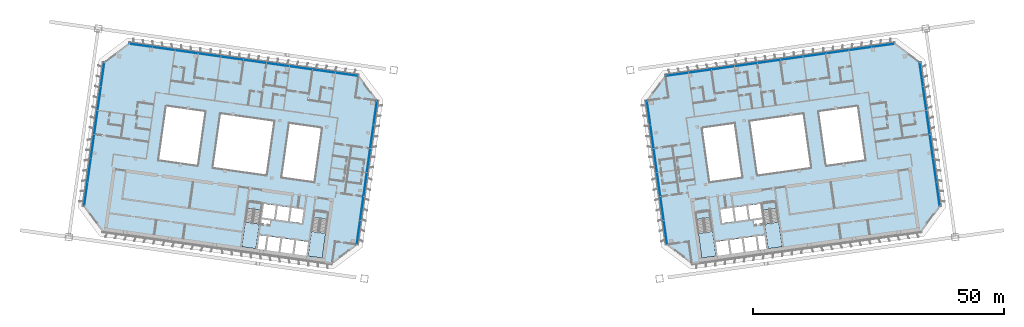
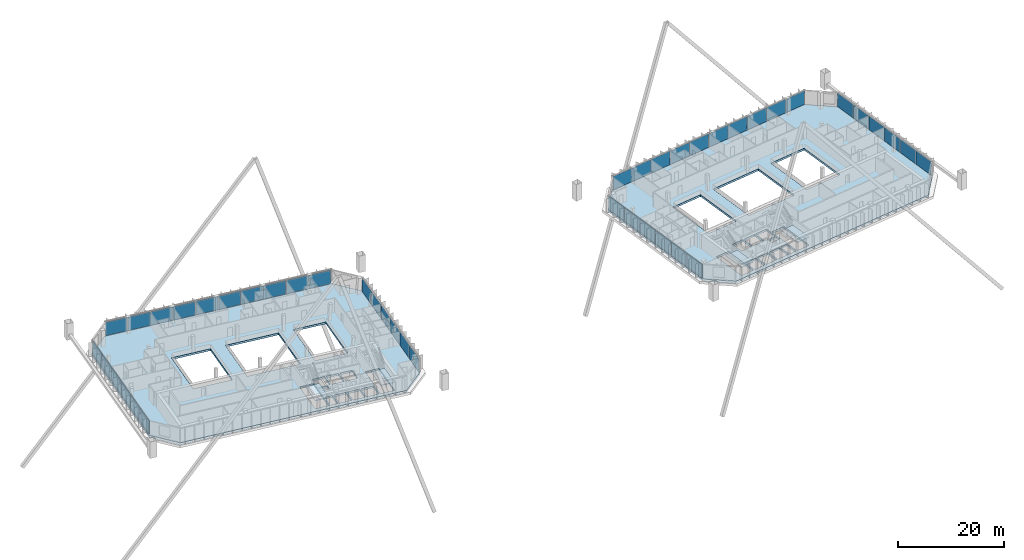
# One storey, part 23 of 38: 44 plates, 6 slabs, 10 elements without a shape of their own.
"""IFC4 building model written with IfcOpenShell, lengths in metres."""

from ifc_helpers import new_model, si_unit, direction, frame, origin, origin_2d, place, context, subcontext, project, spatial, polyline, rectangle, outline, extrude, material, layer, layer_set, type_object, element, aggregate, save


model = new_model("IFC4")

# Units and contexts
model_context = context("Model", 3, precision=1e-05, world=origin(), true_north=direction((0.0, 1.0)))
body_context = subcontext(model_context, "Body", "Model", "MODEL_VIEW")
ifc_project = project(units=[si_unit("LENGTHUNIT", "METRE"), si_unit("AREAUNIT", "SQUARE_METRE"), si_unit("VOLUMEUNIT", "CUBIC_METRE"), si_unit("PLANEANGLEUNIT", "RADIAN"), si_unit("MASSUNIT", "GRAM", prefix="KILO")], contexts=[model_context])

# Site, building, storey
site_placement = place(None, origin())
site = spatial("IfcSite", under=ifc_project, at=site_placement, CompositionType="ELEMENT")
building_placement = place(site_placement, origin())
building = spatial("IfcBuilding", under=site, at=building_placement, Name="Mirante Cascada Hotel Towers", CompositionType="ELEMENT")
storey_placement = place(building_placement, frame((0.0, 0.0, 184.0)))
storey = spatial("IfcBuildingStorey", under=building, at=storey_placement, Name="L43", CompositionType="ELEMENT", Elevation=184.0)

# Curtain wall, plates
ifc_material_1 = material(Name="Aluminium mullion and transom frame with clear laminated glass", Category="aluminium")
curtain_wall_type_1 = type_object("IfcCurtainWallType", Name="Ribbon curtain wall ECW1", PredefinedType="NOTDEFINED", material=ifc_material_1)
curtain_wall_1_placement = place(storey_placement, origin())
curtain_wall_1 = element("IfcCurtainWall", 1, at=curtain_wall_1_placement, inside=storey, type_object=curtain_wall_type_1, Name="Front ribbon wall T1 L43", PredefinedType="NOTDEFINED")
ifc_material_2 = material(Name="Clear laminated glass", Category="glass")
ifc_layer_1 = layer(ifc_material_2, 0.036)
ifc_layer_set_1 = layer_set([ifc_layer_1], Name="ECW1 glass panel 36")
plate_type_1 = type_object("IfcPlateType", Name="ECW1 glass panel 36", PredefinedType="CURTAIN_PANEL", material=ifc_layer_set_1)
plate_1_placement = place(storey_placement, frame((-74.0349, 23.2239, 0.1), z_axis=(0.0, 0.0, 1.0), x_axis=(0.9902681, -0.1391731, 0.0)))
plate_1 = element("IfcPlate", 2, at=plate_1_placement, type_object=plate_type_1, Name="ECW1 panel 1", PredefinedType="CURTAIN_PANEL", context=body_context, shape_type="SweptSolid", body=[
    extrude(rectangle(XDim=4.5121, YDim=0.036, at=origin_2d()), origin(), (0.0, 0.0, 1.0), 3.15),
])
plate_2_placement = place(storey_placement, frame((-69.4862, 22.5847, 0.1), z_axis=(0.0, 0.0, 1.0), x_axis=(0.9902681, -0.1391731, 0.0)))
plate_2 = element("IfcPlate", 3, at=plate_2_placement, type_object=plate_type_1, Name="ECW1 panel 2", PredefinedType="CURTAIN_PANEL", context=body_context, shape_type="SweptSolid", body=[
    extrude(rectangle(XDim=4.5446, YDim=0.036, at=origin_2d()), origin(), (0.0, 0.0, 1.0), 3.15),
])
plate_3_placement = place(storey_placement, frame((-64.9215, 21.9431, 0.1), z_axis=(0.0, 0.0, 1.0), x_axis=(0.9902681, -0.1391731, 0.0)))
plate_3 = element("IfcPlate", 4, at=plate_3_placement, type_object=plate_type_1, Name="ECW1 panel 3", PredefinedType="CURTAIN_PANEL", context=body_context, shape_type="SweptSolid", body=[
    extrude(rectangle(XDim=4.5446, YDim=0.036, at=origin_2d()), origin(), (0.0, 0.0, 1.0), 3.15),
])
plate_4_placement = place(storey_placement, frame((-60.3567, 21.3016, 0.1), z_axis=(0.0, 0.0, 1.0), x_axis=(0.9902681, -0.1391731, 0.0)))
plate_4 = element("IfcPlate", 5, at=plate_4_placement, type_object=plate_type_1, Name="ECW1 panel 4", PredefinedType="CURTAIN_PANEL", context=body_context, shape_type="SweptSolid", body=[
    extrude(rectangle(XDim=4.5446, YDim=0.036, at=origin_2d()), origin(), (0.0, 0.0, 1.0), 3.15),
])
plate_5_placement = place(storey_placement, frame((-55.792, 20.6601, 0.1), z_axis=(0.0, 0.0, 1.0), x_axis=(0.9902681, -0.1391731, 0.0)))
plate_5 = element("IfcPlate", 6, at=plate_5_placement, type_object=plate_type_1, Name="ECW1 panel 5", PredefinedType="CURTAIN_PANEL", context=body_context, shape_type="SweptSolid", body=[
    extrude(rectangle(XDim=4.5446, YDim=0.036, at=origin_2d()), origin(), (0.0, 0.0, 1.0), 3.15),
])
plate_6_placement = place(storey_placement, frame((-51.2272, 20.0185, 0.1), z_axis=(0.0, 0.0, 1.0), x_axis=(0.9902681, -0.1391731, 0.0)))
plate_6 = element("IfcPlate", 7, at=plate_6_placement, type_object=plate_type_1, Name="ECW1 panel 6", PredefinedType="CURTAIN_PANEL", context=body_context, shape_type="SweptSolid", body=[
    extrude(rectangle(XDim=4.5446, YDim=0.036, at=origin_2d()), origin(), (0.0, 0.0, 1.0), 3.15),
])
plate_7_placement = place(storey_placement, frame((-46.6624, 19.377, 0.1), z_axis=(0.0, 0.0, 1.0), x_axis=(0.9902681, -0.1391731, 0.0)))
plate_7 = element("IfcPlate", 8, at=plate_7_placement, type_object=plate_type_1, Name="ECW1 panel 7", PredefinedType="CURTAIN_PANEL", context=body_context, shape_type="SweptSolid", body=[
    extrude(rectangle(XDim=4.5446, YDim=0.036, at=origin_2d()), origin(), (0.0, 0.0, 1.0), 3.15),
])
plate_8_placement = place(storey_placement, frame((-42.0977, 18.7355, 0.1), z_axis=(0.0, 0.0, 1.0), x_axis=(0.9902681, -0.1391731, 0.0)))
plate_8 = element("IfcPlate", 9, at=plate_8_placement, type_object=plate_type_1, Name="ECW1 panel 8", PredefinedType="CURTAIN_PANEL", context=body_context, shape_type="SweptSolid", body=[
    extrude(rectangle(XDim=4.5446, YDim=0.036, at=origin_2d()), origin(), (0.0, 0.0, 1.0), 3.15),
])
plate_9_placement = place(storey_placement, frame((-37.5329, 18.0939, 0.1), z_axis=(0.0, 0.0, 1.0), x_axis=(0.9902681, -0.1391731, 0.0)))
plate_9 = element("IfcPlate", 10, at=plate_9_placement, type_object=plate_type_1, Name="ECW1 panel 9", PredefinedType="CURTAIN_PANEL", context=body_context, shape_type="SweptSolid", body=[
    extrude(rectangle(XDim=4.5446, YDim=0.036, at=origin_2d()), origin(), (0.0, 0.0, 1.0), 3.15),
])
plate_10_placement = place(storey_placement, frame((-32.9843, 17.4547, 0.1), z_axis=(0.0, 0.0, 1.0), x_axis=(0.9902681, -0.1391731, 0.0)))
plate_10 = element("IfcPlate", 11, at=plate_10_placement, type_object=plate_type_1, Name="ECW1 panel 10", PredefinedType="CURTAIN_PANEL", context=body_context, shape_type="SweptSolid", body=[
    extrude(rectangle(XDim=4.5121, YDim=0.036, at=origin_2d()), origin(), (0.0, 0.0, 1.0), 3.15),
])
aggregate(curtain_wall_1, [plate_1, plate_2, plate_3, plate_4, plate_5, plate_6, plate_7, plate_8, plate_9, plate_10])

curtain_wall_2_placement = place(storey_placement, origin())
curtain_wall_2 = element("IfcCurtainWall", 12, at=curtain_wall_2_placement, inside=storey, type_object=curtain_wall_type_1, Name="Front ribbon wall T2 L43", PredefinedType="NOTDEFINED")
plate_11_placement = place(storey_placement, frame((74.0349, 23.2239, 0.1), z_axis=(0.0, 0.0, 1.0), x_axis=(-0.9902681, -0.1391731, 0.0)))
plate_11 = element("IfcPlate", 13, at=plate_11_placement, type_object=plate_type_1, Name="ECW1 panel 1", PredefinedType="CURTAIN_PANEL", context=body_context, shape_type="SweptSolid", body=[
    extrude(rectangle(XDim=4.5121, YDim=0.036, at=origin_2d()), origin(), (0.0, 0.0, 1.0), 3.15),
])
plate_12_placement = place(storey_placement, frame((69.4862, 22.5847, 0.1), z_axis=(0.0, 0.0, 1.0), x_axis=(-0.9902681, -0.1391731, 0.0)))
plate_12 = element("IfcPlate", 14, at=plate_12_placement, type_object=plate_type_1, Name="ECW1 panel 2", PredefinedType="CURTAIN_PANEL", context=body_context, shape_type="SweptSolid", body=[
    extrude(rectangle(XDim=4.5446, YDim=0.036, at=origin_2d()), origin(), (0.0, 0.0, 1.0), 3.15),
])
plate_13_placement = place(storey_placement, frame((64.9215, 21.9431, 0.1), z_axis=(0.0, 0.0, 1.0), x_axis=(-0.9902681, -0.1391731, 0.0)))
plate_13 = element("IfcPlate", 15, at=plate_13_placement, type_object=plate_type_1, Name="ECW1 panel 3", PredefinedType="CURTAIN_PANEL", context=body_context, shape_type="SweptSolid", body=[
    extrude(rectangle(XDim=4.5446, YDim=0.036, at=origin_2d()), origin(), (0.0, 0.0, 1.0), 3.15),
])
plate_14_placement = place(storey_placement, frame((60.3567, 21.3016, 0.1), z_axis=(0.0, 0.0, 1.0), x_axis=(-0.9902681, -0.1391731, 0.0)))
plate_14 = element("IfcPlate", 16, at=plate_14_placement, type_object=plate_type_1, Name="ECW1 panel 4", PredefinedType="CURTAIN_PANEL", context=body_context, shape_type="SweptSolid", body=[
    extrude(rectangle(XDim=4.5446, YDim=0.036, at=origin_2d()), origin(), (0.0, 0.0, 1.0), 3.15),
])
plate_15_placement = place(storey_placement, frame((55.792, 20.6601, 0.1), z_axis=(0.0, 0.0, 1.0), x_axis=(-0.9902681, -0.1391731, 0.0)))
plate_15 = element("IfcPlate", 17, at=plate_15_placement, type_object=plate_type_1, Name="ECW1 panel 5", PredefinedType="CURTAIN_PANEL", context=body_context, shape_type="SweptSolid", body=[
    extrude(rectangle(XDim=4.5446, YDim=0.036, at=origin_2d()), origin(), (0.0, 0.0, 1.0), 3.15),
])
plate_16_placement = place(storey_placement, frame((51.2272, 20.0185, 0.1), z_axis=(0.0, 0.0, 1.0), x_axis=(-0.9902681, -0.1391731, 0.0)))
plate_16 = element("IfcPlate", 18, at=plate_16_placement, type_object=plate_type_1, Name="ECW1 panel 6", PredefinedType="CURTAIN_PANEL", context=body_context, shape_type="SweptSolid", body=[
    extrude(rectangle(XDim=4.5446, YDim=0.036, at=origin_2d()), origin(), (0.0, 0.0, 1.0), 3.15),
])
plate_17_placement = place(storey_placement, frame((46.6624, 19.377, 0.1), z_axis=(0.0, 0.0, 1.0), x_axis=(-0.9902681, -0.1391731, 0.0)))
plate_17 = element("IfcPlate", 19, at=plate_17_placement, type_object=plate_type_1, Name="ECW1 panel 7", PredefinedType="CURTAIN_PANEL", context=body_context, shape_type="SweptSolid", body=[
    extrude(rectangle(XDim=4.5446, YDim=0.036, at=origin_2d()), origin(), (0.0, 0.0, 1.0), 3.15),
])
plate_18_placement = place(storey_placement, frame((42.0977, 18.7355, 0.1), z_axis=(0.0, 0.0, 1.0), x_axis=(-0.9902681, -0.1391731, 0.0)))
plate_18 = element("IfcPlate", 20, at=plate_18_placement, type_object=plate_type_1, Name="ECW1 panel 8", PredefinedType="CURTAIN_PANEL", context=body_context, shape_type="SweptSolid", body=[
    extrude(rectangle(XDim=4.5446, YDim=0.036, at=origin_2d()), origin(), (0.0, 0.0, 1.0), 3.15),
])
plate_19_placement = place(storey_placement, frame((37.5329, 18.0939, 0.1), z_axis=(0.0, 0.0, 1.0), x_axis=(-0.9902681, -0.1391731, 0.0)))
plate_19 = element("IfcPlate", 21, at=plate_19_placement, type_object=plate_type_1, Name="ECW1 panel 9", PredefinedType="CURTAIN_PANEL", context=body_context, shape_type="SweptSolid", body=[
    extrude(rectangle(XDim=4.5446, YDim=0.036, at=origin_2d()), origin(), (0.0, 0.0, 1.0), 3.15),
])
plate_20_placement = place(storey_placement, frame((32.9843, 17.4547, 0.1), z_axis=(0.0, 0.0, 1.0), x_axis=(-0.9902681, -0.1391731, 0.0)))
plate_20 = element("IfcPlate", 22, at=plate_20_placement, type_object=plate_type_1, Name="ECW1 panel 10", PredefinedType="CURTAIN_PANEL", context=body_context, shape_type="SweptSolid", body=[
    extrude(rectangle(XDim=4.5121, YDim=0.036, at=origin_2d()), origin(), (0.0, 0.0, 1.0), 3.15),
])
aggregate(curtain_wall_2, [plate_11, plate_12, plate_13, plate_14, plate_15, plate_16, plate_17, plate_18, plate_19, plate_20])

ifc_material_3 = material(Name="Aluminium mullion and transom frame with clear laminated glass", Category="aluminium")
curtain_wall_type_2 = type_object("IfcCurtainWallType", Name="End ribbon curtain wall ECW2", PredefinedType="NOTDEFINED", material=ifc_material_3)
curtain_wall_3_placement = place(storey_placement, origin())
curtain_wall_3 = element("IfcCurtainWall", 23, at=curtain_wall_3_placement, inside=storey, type_object=curtain_wall_type_2, Name="Inner end wall T1 L43", PredefinedType="NOTDEFINED")
ifc_material_4 = material(Name="Clear laminated glass", Category="glass")
ifc_layer_2 = layer(ifc_material_4, 0.034)
ifc_layer_set_2 = layer_set([ifc_layer_2], Name="ECW2 glass panel 34")
plate_type_2 = type_object("IfcPlateType", Name="ECW2 glass panel 34", PredefinedType="CURTAIN_PANEL", material=ifc_layer_set_2)
plate_21_placement = place(storey_placement, frame((-27.2678, 9.7494, 0.1), z_axis=(0.0, 0.0, 1.0), x_axis=(-0.1391731, -0.9902681, 0.0)))
plate_21 = element("IfcPlate", 24, at=plate_21_placement, type_object=plate_type_2, Name="ECW2 panel 1", PredefinedType="CURTAIN_PANEL", context=body_context, shape_type="SweptSolid", body=[
    extrude(rectangle(XDim=4.7151, YDim=0.034, at=origin_2d()), origin(), (0.0, 0.0, 1.0), 3.15),
])
plate_22_placement = place(storey_placement, frame((-27.9354, 4.9997, 0.1), z_axis=(0.0, 0.0, 1.0), x_axis=(-0.1391731, -0.9902681, 0.0)))
plate_22 = element("IfcPlate", 25, at=plate_22_placement, type_object=plate_type_2, Name="ECW2 panel 2", PredefinedType="CURTAIN_PANEL", context=body_context, shape_type="SweptSolid", body=[
    extrude(rectangle(XDim=4.7476, YDim=0.034, at=origin_2d()), origin(), (0.0, 0.0, 1.0), 3.15),
])
plate_23_placement = place(storey_placement, frame((-28.6051, 0.2339, 0.1), z_axis=(0.0, 0.0, 1.0), x_axis=(-0.1391731, -0.9902681, 0.0)))
plate_23 = element("IfcPlate", 26, at=plate_23_placement, type_object=plate_type_2, Name="ECW2 panel 3", PredefinedType="CURTAIN_PANEL", context=body_context, shape_type="SweptSolid", body=[
    extrude(rectangle(XDim=4.7476, YDim=0.034, at=origin_2d()), origin(), (0.0, 0.0, 1.0), 3.15),
])
plate_24_placement = place(storey_placement, frame((-29.2749, -4.5319, 0.1), z_axis=(0.0, 0.0, 1.0), x_axis=(-0.1391731, -0.9902681, 0.0)))
plate_24 = element("IfcPlate", 27, at=plate_24_placement, type_object=plate_type_2, Name="ECW2 panel 4", PredefinedType="CURTAIN_PANEL", context=body_context, shape_type="SweptSolid", body=[
    extrude(rectangle(XDim=4.7476, YDim=0.034, at=origin_2d()), origin(), (0.0, 0.0, 1.0), 3.15),
])
plate_25_placement = place(storey_placement, frame((-29.9447, -9.2976, 0.1), z_axis=(0.0, 0.0, 1.0), x_axis=(-0.1391731, -0.9902681, 0.0)))
plate_25 = element("IfcPlate", 28, at=plate_25_placement, type_object=plate_type_2, Name="ECW2 panel 5", PredefinedType="CURTAIN_PANEL", context=body_context, shape_type="SweptSolid", body=[
    extrude(rectangle(XDim=4.7476, YDim=0.034, at=origin_2d()), origin(), (0.0, 0.0, 1.0), 3.15),
])
plate_26_placement = place(storey_placement, frame((-30.6122, -14.0473, 0.1), z_axis=(0.0, 0.0, 1.0), x_axis=(-0.1391731, -0.9902681, 0.0)))
plate_26 = element("IfcPlate", 29, at=plate_26_placement, type_object=plate_type_2, Name="ECW2 panel 6", PredefinedType="CURTAIN_PANEL", context=body_context, shape_type="SweptSolid", body=[
    extrude(rectangle(XDim=4.7151, YDim=0.034, at=origin_2d()), origin(), (0.0, 0.0, 1.0), 3.15),
])
aggregate(curtain_wall_3, [plate_21, plate_22, plate_23, plate_24, plate_25, plate_26])

curtain_wall_4_placement = place(storey_placement, origin())
curtain_wall_4 = element("IfcCurtainWall", 30, at=curtain_wall_4_placement, inside=storey, type_object=curtain_wall_type_2, Name="Outer end wall T1 L43", PredefinedType="NOTDEFINED")
plate_27_placement = place(storey_placement, frame((-84.9981, -6.4039, 0.1), z_axis=(0.0, 0.0, 1.0), x_axis=(0.1391731, 0.9902681, 0.0)))
plate_27 = element("IfcPlate", 31, at=plate_27_placement, type_object=plate_type_2, Name="ECW2 panel 1", PredefinedType="CURTAIN_PANEL", context=body_context, shape_type="SweptSolid", body=[
    extrude(rectangle(XDim=4.7151, YDim=0.034, at=origin_2d()), origin(), (0.0, 0.0, 1.0), 3.15),
])
plate_28_placement = place(storey_placement, frame((-84.3306, -1.6542, 0.1), z_axis=(0.0, 0.0, 1.0), x_axis=(0.1391731, 0.9902681, 0.0)))
plate_28 = element("IfcPlate", 32, at=plate_28_placement, type_object=plate_type_2, Name="ECW2 panel 2", PredefinedType="CURTAIN_PANEL", context=body_context, shape_type="SweptSolid", body=[
    extrude(rectangle(XDim=4.7476, YDim=0.034, at=origin_2d()), origin(), (0.0, 0.0, 1.0), 3.15),
])
plate_29_placement = place(storey_placement, frame((-83.6608, 3.1116, 0.1), z_axis=(0.0, 0.0, 1.0), x_axis=(0.1391731, 0.9902681, 0.0)))
plate_29 = element("IfcPlate", 33, at=plate_29_placement, type_object=plate_type_2, Name="ECW2 panel 3", PredefinedType="CURTAIN_PANEL", context=body_context, shape_type="SweptSolid", body=[
    extrude(rectangle(XDim=4.7476, YDim=0.034, at=origin_2d()), origin(), (0.0, 0.0, 1.0), 3.15),
])
plate_30_placement = place(storey_placement, frame((-82.991, 7.8774, 0.1), z_axis=(0.0, 0.0, 1.0), x_axis=(0.1391731, 0.9902681, 0.0)))
plate_30 = element("IfcPlate", 34, at=plate_30_placement, type_object=plate_type_2, Name="ECW2 panel 4", PredefinedType="CURTAIN_PANEL", context=body_context, shape_type="SweptSolid", body=[
    extrude(rectangle(XDim=4.7476, YDim=0.034, at=origin_2d()), origin(), (0.0, 0.0, 1.0), 3.15),
])
plate_31_placement = place(storey_placement, frame((-82.3213, 12.6432, 0.1), z_axis=(0.0, 0.0, 1.0), x_axis=(0.1391731, 0.9902681, 0.0)))
plate_31 = element("IfcPlate", 35, at=plate_31_placement, type_object=plate_type_2, Name="ECW2 panel 5", PredefinedType="CURTAIN_PANEL", context=body_context, shape_type="SweptSolid", body=[
    extrude(rectangle(XDim=4.7476, YDim=0.034, at=origin_2d()), origin(), (0.0, 0.0, 1.0), 3.15),
])
plate_32_placement = place(storey_placement, frame((-81.6537, 17.3928, 0.1), z_axis=(0.0, 0.0, 1.0), x_axis=(0.1391731, 0.9902681, 0.0)))
plate_32 = element("IfcPlate", 36, at=plate_32_placement, type_object=plate_type_2, Name="ECW2 panel 6", PredefinedType="CURTAIN_PANEL", context=body_context, shape_type="SweptSolid", body=[
    extrude(rectangle(XDim=4.7151, YDim=0.034, at=origin_2d()), origin(), (0.0, 0.0, 1.0), 3.15),
])
aggregate(curtain_wall_4, [plate_27, plate_28, plate_29, plate_30, plate_31, plate_32])

curtain_wall_5_placement = place(storey_placement, origin())
curtain_wall_5 = element("IfcCurtainWall", 37, at=curtain_wall_5_placement, inside=storey, type_object=curtain_wall_type_2, Name="Inner end wall T2 L43", PredefinedType="NOTDEFINED")
plate_33_placement = place(storey_placement, frame((27.2678, 9.7494, 0.1), z_axis=(0.0, 0.0, 1.0), x_axis=(0.1391731, -0.9902681, 0.0)))
plate_33 = element("IfcPlate", 38, at=plate_33_placement, type_object=plate_type_2, Name="ECW2 panel 1", PredefinedType="CURTAIN_PANEL", context=body_context, shape_type="SweptSolid", body=[
    extrude(rectangle(XDim=4.7151, YDim=0.034, at=origin_2d()), origin(), (0.0, 0.0, 1.0), 3.15),
])
plate_34_placement = place(storey_placement, frame((27.9354, 4.9997, 0.1), z_axis=(0.0, 0.0, 1.0), x_axis=(0.1391731, -0.9902681, 0.0)))
plate_34 = element("IfcPlate", 39, at=plate_34_placement, type_object=plate_type_2, Name="ECW2 panel 2", PredefinedType="CURTAIN_PANEL", context=body_context, shape_type="SweptSolid", body=[
    extrude(rectangle(XDim=4.7476, YDim=0.034, at=origin_2d()), origin(), (0.0, 0.0, 1.0), 3.15),
])
plate_35_placement = place(storey_placement, frame((28.6051, 0.2339, 0.1), z_axis=(0.0, 0.0, 1.0), x_axis=(0.1391731, -0.9902681, 0.0)))
plate_35 = element("IfcPlate", 40, at=plate_35_placement, type_object=plate_type_2, Name="ECW2 panel 3", PredefinedType="CURTAIN_PANEL", context=body_context, shape_type="SweptSolid", body=[
    extrude(rectangle(XDim=4.7476, YDim=0.034, at=origin_2d()), origin(), (0.0, 0.0, 1.0), 3.15),
])
plate_36_placement = place(storey_placement, frame((29.2749, -4.5319, 0.1), z_axis=(0.0, 0.0, 1.0), x_axis=(0.1391731, -0.9902681, 0.0)))
plate_36 = element("IfcPlate", 41, at=plate_36_placement, type_object=plate_type_2, Name="ECW2 panel 4", PredefinedType="CURTAIN_PANEL", context=body_context, shape_type="SweptSolid", body=[
    extrude(rectangle(XDim=4.7476, YDim=0.034, at=origin_2d()), origin(), (0.0, 0.0, 1.0), 3.15),
])
plate_37_placement = place(storey_placement, frame((29.9447, -9.2976, 0.1), z_axis=(0.0, 0.0, 1.0), x_axis=(0.1391731, -0.9902681, 0.0)))
plate_37 = element("IfcPlate", 42, at=plate_37_placement, type_object=plate_type_2, Name="ECW2 panel 5", PredefinedType="CURTAIN_PANEL", context=body_context, shape_type="SweptSolid", body=[
    extrude(rectangle(XDim=4.7476, YDim=0.034, at=origin_2d()), origin(), (0.0, 0.0, 1.0), 3.15),
])
plate_38_placement = place(storey_placement, frame((30.6122, -14.0473, 0.1), z_axis=(0.0, 0.0, 1.0), x_axis=(0.1391731, -0.9902681, 0.0)))
plate_38 = element("IfcPlate", 43, at=plate_38_placement, type_object=plate_type_2, Name="ECW2 panel 6", PredefinedType="CURTAIN_PANEL", context=body_context, shape_type="SweptSolid", body=[
    extrude(rectangle(XDim=4.7151, YDim=0.034, at=origin_2d()), origin(), (0.0, 0.0, 1.0), 3.15),
])
aggregate(curtain_wall_5, [plate_33, plate_34, plate_35, plate_36, plate_37, plate_38])

curtain_wall_6_placement = place(storey_placement, origin())
curtain_wall_6 = element("IfcCurtainWall", 44, at=curtain_wall_6_placement, inside=storey, type_object=curtain_wall_type_2, Name="Outer end wall T2 L43", PredefinedType="NOTDEFINED")
plate_39_placement = place(storey_placement, frame((84.9981, -6.4039, 0.1), z_axis=(0.0, 0.0, 1.0), x_axis=(-0.1391731, 0.9902681, 0.0)))
plate_39 = element("IfcPlate", 45, at=plate_39_placement, type_object=plate_type_2, Name="ECW2 panel 1", PredefinedType="CURTAIN_PANEL", context=body_context, shape_type="SweptSolid", body=[
    extrude(rectangle(XDim=4.7151, YDim=0.034, at=origin_2d()), origin(), (0.0, 0.0, 1.0), 3.15),
])
plate_40_placement = place(storey_placement, frame((84.3306, -1.6542, 0.1), z_axis=(0.0, 0.0, 1.0), x_axis=(-0.1391731, 0.9902681, 0.0)))
plate_40 = element("IfcPlate", 46, at=plate_40_placement, type_object=plate_type_2, Name="ECW2 panel 2", PredefinedType="CURTAIN_PANEL", context=body_context, shape_type="SweptSolid", body=[
    extrude(rectangle(XDim=4.7476, YDim=0.034, at=origin_2d()), origin(), (0.0, 0.0, 1.0), 3.15),
])
plate_41_placement = place(storey_placement, frame((83.6608, 3.1116, 0.1), z_axis=(0.0, 0.0, 1.0), x_axis=(-0.1391731, 0.9902681, 0.0)))
plate_41 = element("IfcPlate", 47, at=plate_41_placement, type_object=plate_type_2, Name="ECW2 panel 3", PredefinedType="CURTAIN_PANEL", context=body_context, shape_type="SweptSolid", body=[
    extrude(rectangle(XDim=4.7476, YDim=0.034, at=origin_2d()), origin(), (0.0, 0.0, 1.0), 3.15),
])
plate_42_placement = place(storey_placement, frame((82.991, 7.8774, 0.1), z_axis=(0.0, 0.0, 1.0), x_axis=(-0.1391731, 0.9902681, 0.0)))
plate_42 = element("IfcPlate", 48, at=plate_42_placement, type_object=plate_type_2, Name="ECW2 panel 4", PredefinedType="CURTAIN_PANEL", context=body_context, shape_type="SweptSolid", body=[
    extrude(rectangle(XDim=4.7476, YDim=0.034, at=origin_2d()), origin(), (0.0, 0.0, 1.0), 3.15),
])
plate_43_placement = place(storey_placement, frame((82.3213, 12.6432, 0.1), z_axis=(0.0, 0.0, 1.0), x_axis=(-0.1391731, 0.9902681, 0.0)))
plate_43 = element("IfcPlate", 49, at=plate_43_placement, type_object=plate_type_2, Name="ECW2 panel 5", PredefinedType="CURTAIN_PANEL", context=body_context, shape_type="SweptSolid", body=[
    extrude(rectangle(XDim=4.7476, YDim=0.034, at=origin_2d()), origin(), (0.0, 0.0, 1.0), 3.15),
])
plate_44_placement = place(storey_placement, frame((81.6537, 17.3928, 0.1), z_axis=(0.0, 0.0, 1.0), x_axis=(-0.1391731, 0.9902681, 0.0)))
plate_44 = element("IfcPlate", 50, at=plate_44_placement, type_object=plate_type_2, Name="ECW2 panel 6", PredefinedType="CURTAIN_PANEL", context=body_context, shape_type="SweptSolid", body=[
    extrude(rectangle(XDim=4.7151, YDim=0.034, at=origin_2d()), origin(), (0.0, 0.0, 1.0), 3.15),
])
aggregate(curtain_wall_6, [plate_39, plate_40, plate_41, plate_42, plate_43, plate_44])

# Stair, slab
ifc_material_5 = material(Name="Concrete C35/45", Category="concrete")
stair_type = type_object("IfcStairType", Name="Exit stair half-turn 1350 concrete C35/45", PredefinedType="HALF_TURN_STAIR", material=ifc_material_5)
stair_1_placement = place(storey_placement, origin())
stair_1 = element("IfcStair", 51, at=stair_1_placement, inside=storey, type_object=stair_type, Name="L43 Exit stair A", PredefinedType="HALF_TURN_STAIR")
ifc_material_6 = material(Name="Concrete C35/45", Category="concrete")
ifc_layer_3 = layer(ifc_material_6, 0.2)
ifc_layer_set_3 = layer_set([ifc_layer_3], Name="Exit stair landing 200 concrete C35/45")
slab_type_1 = type_object("IfcSlabType", Name="Exit stair landing 200 concrete C35/45", PredefinedType="LANDING", material=ifc_layer_set_3)
slab_1_placement = place(storey_placement, frame((0.0, 0.0, 1.7)))
slab_1 = element("IfcSlab", 52, at=slab_1_placement, type_object=slab_type_1, Name="ST1-A landing 1", PredefinedType="LANDING", context=body_context, shape_type="SweptSolid", body=[
    extrude(outline(polyline([(-39.9987, -13.8659), (-40.6887, -18.7757), (-37.8665, -19.1723), (-37.1765, -14.2626), (-39.9987, -13.8659)])), origin(), (0.0, 0.0, 1.0), 0.2),
])
aggregate(stair_1, [slab_1])

stair_2_placement = place(storey_placement, origin())
stair_2 = element("IfcStair", 53, at=stair_2_placement, inside=storey, type_object=stair_type, Name="L43 Exit stair B", PredefinedType="HALF_TURN_STAIR")
slab_2_placement = place(storey_placement, frame((0.0, 0.0, 1.7)))
slab_2 = element("IfcSlab", 54, at=slab_2_placement, type_object=slab_type_1, Name="ST1-B landing 1", PredefinedType="LANDING", context=body_context, shape_type="SweptSolid", body=[
    extrude(outline(polyline([(-53.2188, -12.008), (-53.9088, -16.9177), (-51.0866, -17.3144), (-50.3965, -12.4046), (-53.2188, -12.008)])), origin(), (0.0, 0.0, 1.0), 0.2),
])
aggregate(stair_2, [slab_2])

stair_3_placement = place(storey_placement, origin())
stair_3 = element("IfcStair", 55, at=stair_3_placement, inside=storey, type_object=stair_type, Name="L43 Exit stair A", PredefinedType="HALF_TURN_STAIR")
slab_3_placement = place(storey_placement, frame((0.0, 0.0, 1.7)))
slab_3 = element("IfcSlab", 56, at=slab_3_placement, type_object=slab_type_1, Name="ST2-A landing 1", PredefinedType="LANDING", context=body_context, shape_type="SweptSolid", body=[
    extrude(outline(polyline([(37.1765, -14.2626), (37.8665, -19.1723), (40.6887, -18.7757), (39.9987, -13.8659), (37.1765, -14.2626)])), origin(), (0.0, 0.0, 1.0), 0.2),
])
aggregate(stair_3, [slab_3])

stair_4_placement = place(storey_placement, origin())
stair_4 = element("IfcStair", 57, at=stair_4_placement, inside=storey, type_object=stair_type, Name="L43 Exit stair B", PredefinedType="HALF_TURN_STAIR")
slab_4_placement = place(storey_placement, frame((0.0, 0.0, 1.7)))
slab_4 = element("IfcSlab", 58, at=slab_4_placement, type_object=slab_type_1, Name="ST2-B landing 1", PredefinedType="LANDING", context=body_context, shape_type="SweptSolid", body=[
    extrude(outline(polyline([(50.3965, -12.4046), (51.0866, -17.3144), (53.9088, -16.9177), (53.2188, -12.008), (50.3965, -12.4046)])), origin(), (0.0, 0.0, 1.0), 0.2),
])
aggregate(stair_4, [slab_4])

# Slabs
ifc_material_7 = material(Name="Concrete C40/50", Category="concrete")
ifc_layer_4 = layer(ifc_material_7, 0.45)
ifc_layer_set_4 = layer_set([ifc_layer_4], Name="Post-tensioned flat plate 450 Concrete C40/50")
slab_type_2 = type_object("IfcSlabType", Name="Post-tensioned flat plate 450 Concrete C40/50", PredefinedType="FLOOR", material=ifc_layer_set_4)
slab_5_placement = place(storey_placement, frame((0.0, 0.0, -0.45)))
element("IfcSlab", 59, at=slab_5_placement, inside=storey, type_object=slab_type_2, Name="Floor T1 L43", PredefinedType="FLOOR", context=body_context, shape_type="SweptSolid", body=[
    extrude(outline(polyline([(-30.8095, -16.5287), (-26.7735, 12.189), (-30.6034, 17.2715), (-76.374, 23.7042), (-81.4565, 19.8742), (-85.4925, -8.8435), (-81.6626, -13.926), (-35.892, -20.3587), (-30.8095, -16.5287)]), holes=[polyline([(-40.5961, -15.9612), (-40.9858, -18.7339), (-43.4615, -18.386), (-43.0718, -15.6132), (-40.5961, -15.9612)]), polyline([(-43.3689, -15.5715), (-43.7586, -18.3442), (-46.2342, -17.9963), (-45.8446, -15.2236), (-43.3689, -15.5715)]), polyline([(-46.1416, -15.1818), (-46.5313, -17.9546), (-49.007, -17.6066), (-48.6173, -14.8339), (-46.1416, -15.1818)]), polyline([(-36.7887, -11.5037), (-37.8665, -19.1723), (-40.6887, -18.7757), (-39.611, -11.107), (-36.7887, -11.5037)]), polyline([(-43.9775, -9.124), (-41.5018, -9.472), (-41.8915, -12.2447), (-44.3672, -11.8968), (-43.9775, -9.124)]), polyline([(-44.2746, -9.0823), (-44.6643, -11.855), (-47.1399, -11.5071), (-46.7503, -8.7344), (-44.2746, -9.0823)]), polyline([(-50.3998, -14.5834), (-48.9144, -14.7921), (-49.3041, -17.5649), (-50.7895, -17.3561), (-50.3998, -14.5834)]), polyline([(-50.0088, -9.6457), (-51.0866, -17.3144), (-53.9088, -16.9177), (-52.8311, -9.2491), (-50.0088, -9.6457)]), polyline([(-48.1472, -11.6685), (-48.2829, -12.634), (-50.0901, -12.38), (-49.9544, -11.4145), (-48.1472, -11.6685)]), polyline([(-49.523, -8.3447), (-47.0473, -8.6926), (-47.437, -11.4654), (-49.9127, -11.1174), (-49.523, -8.3447)]), polyline([(-61.1387, 10.051), (-61.1387, 10.051), (-62.6696, -0.842), (-62.6696, -0.842), (-70.579, 0.2696), (-69.0481, 11.1625), (-61.1387, 10.051)]), polyline([(-47.4076, 8.1212), (-48.9385, -2.7718), (-48.9385, -2.7718), (-59.6968, -1.2598), (-59.6968, -1.2598), (-58.1659, 9.6332), (-47.4076, 8.1212)]), polyline([(-37.8547, 6.7786), (-39.3856, -4.1144), (-45.9657, -3.1896), (-45.9657, -3.1896), (-44.4348, 7.7034), (-37.8547, 6.7786)])]), origin(), (0.0, 0.0, 1.0), 0.45),
])
slab_6_placement = place(storey_placement, frame((0.0, 0.0, -0.45)))
element("IfcSlab", 60, at=slab_6_placement, inside=storey, type_object=slab_type_2, Name="Floor T2 L43", PredefinedType="FLOOR", context=body_context, shape_type="SweptSolid", body=[
    extrude(outline(polyline([(30.8095, -16.5287), (26.7735, 12.189), (30.6034, 17.2715), (76.374, 23.7042), (81.4565, 19.8742), (85.4925, -8.8435), (81.6626, -13.926), (35.892, -20.3587), (30.8095, -16.5287)]), holes=[polyline([(40.5961, -15.9612), (40.9858, -18.7339), (43.4615, -18.386), (43.0718, -15.6132), (40.5961, -15.9612)]), polyline([(43.3689, -15.5715), (43.7586, -18.3442), (46.2342, -17.9963), (45.8446, -15.2236), (43.3689, -15.5715)]), polyline([(46.1416, -15.1818), (46.5313, -17.9546), (49.007, -17.6066), (48.6173, -14.8339), (46.1416, -15.1818)]), polyline([(37.8665, -19.1723), (40.6887, -18.7757), (39.611, -11.107), (36.7887, -11.5037), (37.8665, -19.1723)]), polyline([(43.9775, -9.124), (41.5018, -9.472), (41.8915, -12.2447), (44.3672, -11.8968), (43.9775, -9.124)]), polyline([(44.2746, -9.0823), (44.6643, -11.855), (47.1399, -11.5071), (46.7503, -8.7344), (44.2746, -9.0823)]), polyline([(50.3998, -14.5834), (48.9144, -14.7921), (49.3041, -17.5649), (50.7895, -17.3561), (50.3998, -14.5834)]), polyline([(51.0866, -17.3144), (53.9088, -16.9177), (52.8311, -9.2491), (50.0088, -9.6457), (51.0866, -17.3144)]), polyline([(48.1472, -11.6685), (48.2829, -12.634), (50.0901, -12.38), (49.9544, -11.4145), (48.1472, -11.6685)]), polyline([(49.523, -8.3447), (47.0473, -8.6926), (47.437, -11.4654), (49.9127, -11.1174), (49.523, -8.3447)]), polyline([(69.0481, 11.1625), (70.579, 0.2696), (62.6696, -0.842), (62.6696, -0.842), (61.1387, 10.051), (61.1387, 10.051), (69.0481, 11.1625)]), polyline([(58.1659, 9.6332), (59.6968, -1.2598), (59.6968, -1.2598), (48.9385, -2.7718), (48.9385, -2.7718), (47.4076, 8.1212), (58.1659, 9.6332)]), polyline([(39.3856, -4.1144), (37.8547, 6.7786), (44.4348, 7.7034), (45.9657, -3.1896), (45.9657, -3.1896), (39.3856, -4.1144)])]), origin(), (0.0, 0.0, 1.0), 0.45),
])

save(model, "model.ifc")
